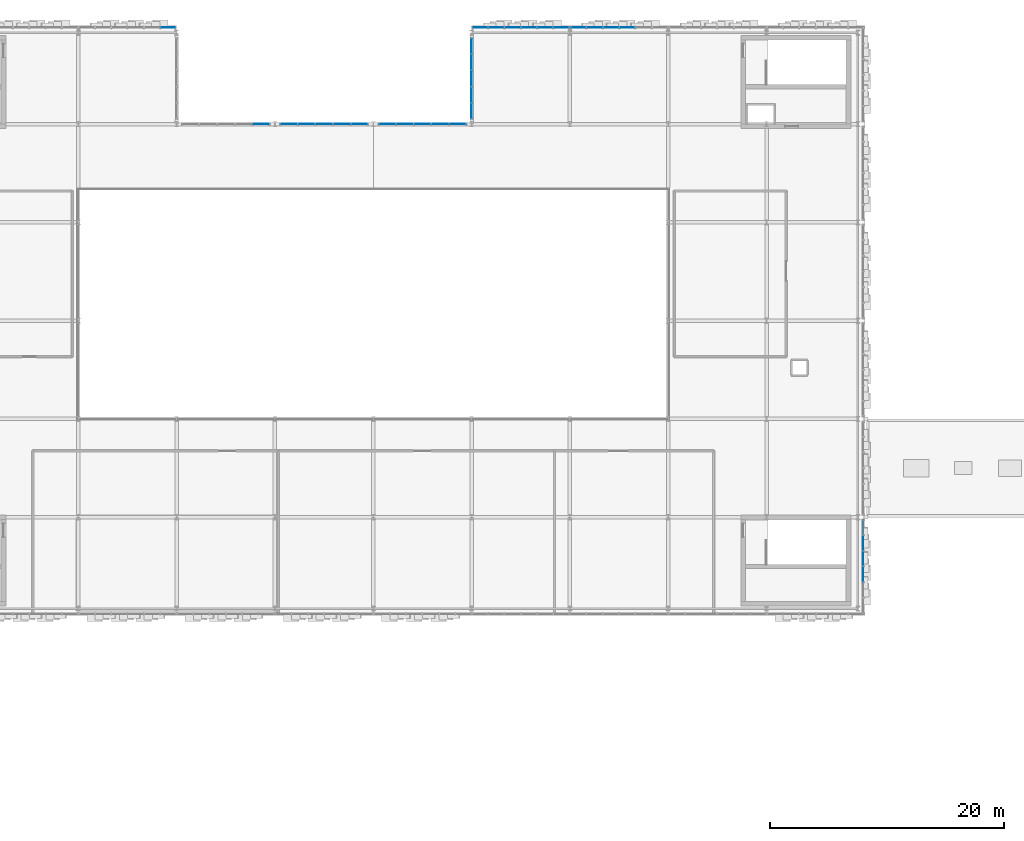
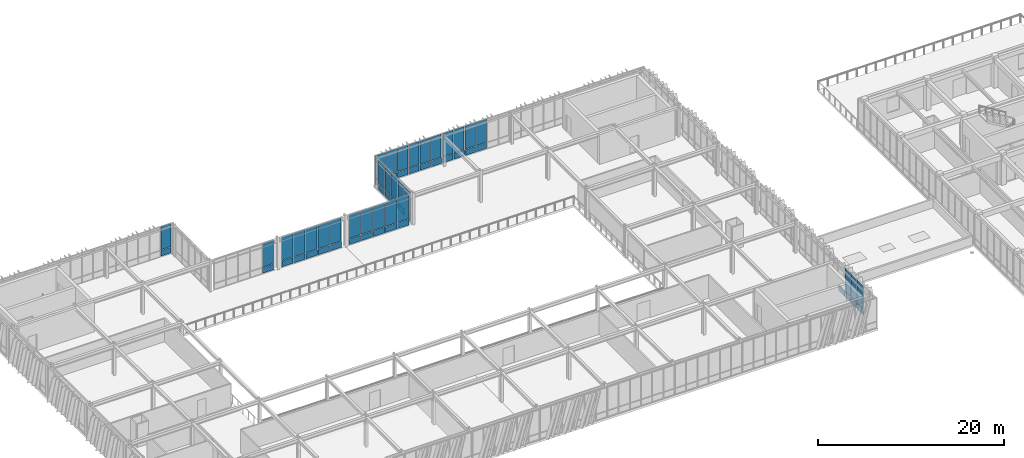
# One storey, part 91 of 123: 61 plates, 8 elements without a shape of their own.
"""IFC4 building model written with IfcOpenShell, lengths in metres."""

from ifc_helpers import new_model, si_unit, direction, frame, origin, origin_2d, place, context, subcontext, project, spatial, rectangle, extrude, material, layer, layer_set, type_object, element, aggregate, save


model = new_model("IFC4")

# Units and contexts
model_context = context("Model", 3, precision=1e-05, world=origin(), true_north=direction((0.0, 1.0)))
body_context = subcontext(model_context, "Body", "Model", "MODEL_VIEW")
ifc_project = project(units=[si_unit("LENGTHUNIT", "METRE"), si_unit("AREAUNIT", "SQUARE_METRE"), si_unit("VOLUMEUNIT", "CUBIC_METRE"), si_unit("PLANEANGLEUNIT", "RADIAN"), si_unit("MASSUNIT", "GRAM", prefix="KILO")], contexts=[model_context])

# Site, building, storey
site_placement = place(None, origin())
site = spatial("IfcSite", under=ifc_project, at=site_placement, CompositionType="ELEMENT")
building_placement = place(site_placement, origin())
building = spatial("IfcBuilding", under=site, at=building_placement, Name="Zayran Congress Hotel", CompositionType="ELEMENT")
storey_placement = place(building_placement, frame((0.0, 0.0, 15.0)))
storey = spatial("IfcBuildingStorey", under=building, at=storey_placement, Name="L03", CompositionType="ELEMENT", Elevation=15.0)

# Curtain wall, plate
ifc_material_1 = material(Name="Anodised aluminium and low-E insulated glass", Category="aluminium")
ifc_layer_1 = layer(ifc_material_1, 0.179931640625)
ifc_layer_set_1 = layer_set([ifc_layer_1], Name="Anodised aluminium and low-E insulated glass")
curtain_wall_type_1 = type_object("IfcCurtainWallType", Name="CW-V1N-L03-CW-23-8360-3980", PredefinedType="USERDEFINED", material=ifc_layer_set_1)
curtain_wall_1_placement = place(storey_placement, origin())
curtain_wall_1 = element("IfcCurtainWall", 1, at=curtain_wall_1_placement, inside=storey, type_object=curtain_wall_type_1, Name="CW-V1N-L03-2", ObjectType="CURTAIN WALL", PredefinedType="USERDEFINED")
ifc_material_2 = material(Name="Insulated warm bronze aluminium spandrel panel", Category="aluminium")
ifc_layer_2 = layer(ifc_material_2, 0.06005859375)
ifc_layer_set_2 = layer_set([ifc_layer_2], Name="Insulated warm bronze aluminium spandrel panel")
plate_type_1 = type_object("IfcPlateType", Name="CWP-SP-1273-750", PredefinedType="CURTAIN_PANEL", material=ifc_layer_set_2)
plate_1_placement = place(storey_placement, frame((32.86328125, 117.85009765625, 0.06005859375), z_axis=(0.0, 0.0, 1.0), x_axis=(1.0, 0.0, 0.0)))
plate_1 = element("IfcPlate", 2, at=plate_1_placement, type_object=plate_type_1, Name="CW-23 Spandrel Panel 1", PredefinedType="CURTAIN_PANEL", context=body_context, shape_type="SweptSolid", body=[
    extrude(rectangle(XDim=1.273193359375, YDim=0.06005859375, at=origin_2d()), origin(), (0.0, 0.0, 1.0), 0.75),
])

# Curtain wall, plates
ifc_layer_3 = layer(ifc_material_1, 0.179931640625)
ifc_layer_set_3 = layer_set([ifc_layer_3], Name="Anodised aluminium and low-E insulated glass")
curtain_wall_type_2 = type_object("IfcCurtainWallType", Name="CW-V1N-L03-CW-21-8360-3980", PredefinedType="USERDEFINED", material=ifc_layer_set_3)
curtain_wall_2_placement = place(storey_placement, origin())
curtain_wall_2 = element("IfcCurtainWall", 3, at=curtain_wall_2_placement, inside=storey, type_object=curtain_wall_type_2, Name="CW-V1N-L03-6", ObjectType="CURTAIN WALL", PredefinedType="USERDEFINED")
plate_2_placement = place(storey_placement, frame((66.46337890625, 117.85009765625, 0.06005859375), z_axis=(0.0, 0.0, 1.0), x_axis=(1.0, 0.0, 0.0)))
plate_2 = element("IfcPlate", 4, at=plate_2_placement, type_object=plate_type_1, Name="CW-21 Spandrel Panel 1", PredefinedType="CURTAIN_PANEL", context=body_context, shape_type="SweptSolid", body=[
    extrude(rectangle(XDim=1.273193359375, YDim=0.06005859375, at=origin_2d()), origin(), (0.0, 0.0, 1.0), 0.75),
])
plate_3_placement = place(storey_placement, frame((65.090087890625, 117.85009765625, 0.06005859375), z_axis=(0.0, 0.0, 1.0), x_axis=(1.0, 0.0, 0.0)))
plate_3 = element("IfcPlate", 5, at=plate_3_placement, type_object=plate_type_1, Name="CW-21 Spandrel Panel 2", PredefinedType="CURTAIN_PANEL", context=body_context, shape_type="SweptSolid", body=[
    extrude(rectangle(XDim=1.313232421875, YDim=0.06005859375, at=origin_2d()), origin(), (0.0, 0.0, 1.0), 0.75),
])
plate_4_placement = place(storey_placement, frame((63.69677734375, 117.85009765625, 0.06005859375), z_axis=(0.0, 0.0, 1.0), x_axis=(1.0, 0.0, 0.0)))
plate_4 = element("IfcPlate", 6, at=plate_4_placement, type_object=plate_type_1, Name="CW-21 Spandrel Panel 3", PredefinedType="CURTAIN_PANEL", context=body_context, shape_type="SweptSolid", body=[
    extrude(rectangle(XDim=1.313232421875, YDim=0.06005859375, at=origin_2d()), origin(), (0.0, 0.0, 1.0), 0.75),
])
plate_5_placement = place(storey_placement, frame((62.30322265625, 117.85009765625, 0.06005859375), z_axis=(0.0, 0.0, 1.0), x_axis=(1.0, 0.0, 0.0)))
plate_5 = element("IfcPlate", 7, at=plate_5_placement, type_object=plate_type_1, Name="CW-21 Spandrel Panel 4", PredefinedType="CURTAIN_PANEL", context=body_context, shape_type="SweptSolid", body=[
    extrude(rectangle(XDim=1.313232421875, YDim=0.06005859375, at=origin_2d()), origin(), (0.0, 0.0, 1.0), 0.75),
])
plate_6_placement = place(storey_placement, frame((60.909912109375, 117.85009765625, 0.06005859375), z_axis=(0.0, 0.0, 1.0), x_axis=(1.0, 0.0, 0.0)))
plate_6 = element("IfcPlate", 8, at=plate_6_placement, type_object=plate_type_1, Name="CW-21 Spandrel Panel 5", PredefinedType="CURTAIN_PANEL", context=body_context, shape_type="SweptSolid", body=[
    extrude(rectangle(XDim=1.313232421875, YDim=0.06005859375, at=origin_2d()), origin(), (0.0, 0.0, 1.0), 0.75),
])
plate_7_placement = place(storey_placement, frame((59.53662109375, 117.85009765625, 0.06005859375), z_axis=(0.0, 0.0, 1.0), x_axis=(1.0, 0.0, 0.0)))
plate_7 = element("IfcPlate", 9, at=plate_7_placement, type_object=plate_type_1, Name="CW-21 Spandrel Panel 6", PredefinedType="CURTAIN_PANEL", context=body_context, shape_type="SweptSolid", body=[
    extrude(rectangle(XDim=1.273193359375, YDim=0.06005859375, at=origin_2d()), origin(), (0.0, 0.0, 1.0), 0.75),
])

ifc_layer_4 = layer(ifc_material_1, 0.179931640625)
ifc_layer_set_4 = layer_set([ifc_layer_4], Name="Anodised aluminium and low-E insulated glass")
curtain_wall_type_3 = type_object("IfcCurtainWallType", Name="CW-V1N-L03-CW-22-8360-3980", PredefinedType="USERDEFINED", material=ifc_layer_set_4)
curtain_wall_3_placement = place(storey_placement, origin())
curtain_wall_3 = element("IfcCurtainWall", 10, at=curtain_wall_3_placement, inside=storey, type_object=curtain_wall_type_3, Name="CW-V1N-L03-7", ObjectType="CURTAIN WALL", PredefinedType="USERDEFINED")
plate_8_placement = place(storey_placement, frame((72.0966796875, 117.85009765625, 0.06005859375), z_axis=(0.0, 0.0, 1.0), x_axis=(1.0, 0.0, 0.0)))
plate_8 = element("IfcPlate", 11, at=plate_8_placement, type_object=plate_type_1, Name="CW-22 Spandrel Panel 3", PredefinedType="CURTAIN_PANEL", context=body_context, shape_type="SweptSolid", body=[
    extrude(rectangle(XDim=1.313232421875, YDim=0.06005859375, at=origin_2d()), origin(), (0.0, 0.0, 1.0), 0.75),
])
plate_9_placement = place(storey_placement, frame((70.703369140625, 117.85009765625, 0.06005859375), z_axis=(0.0, 0.0, 1.0), x_axis=(1.0, 0.0, 0.0)))
plate_9 = element("IfcPlate", 12, at=plate_9_placement, type_object=plate_type_1, Name="CW-22 Spandrel Panel 4", PredefinedType="CURTAIN_PANEL", context=body_context, shape_type="SweptSolid", body=[
    extrude(rectangle(XDim=1.313232421875, YDim=0.06005859375, at=origin_2d()), origin(), (0.0, 0.0, 1.0), 0.75),
])
plate_10_placement = place(storey_placement, frame((69.31005859375, 117.85009765625, 0.06005859375), z_axis=(0.0, 0.0, 1.0), x_axis=(1.0, 0.0, 0.0)))
plate_10 = element("IfcPlate", 13, at=plate_10_placement, type_object=plate_type_1, Name="CW-22 Spandrel Panel 5", PredefinedType="CURTAIN_PANEL", context=body_context, shape_type="SweptSolid", body=[
    extrude(rectangle(XDim=1.313232421875, YDim=0.06005859375, at=origin_2d()), origin(), (0.0, 0.0, 1.0), 0.75),
])
plate_11_placement = place(storey_placement, frame((67.936767578125, 117.85009765625, 0.06005859375), z_axis=(0.0, 0.0, 1.0), x_axis=(1.0, 0.0, 0.0)))
plate_11 = element("IfcPlate", 14, at=plate_11_placement, type_object=plate_type_1, Name="CW-22 Spandrel Panel 6", PredefinedType="CURTAIN_PANEL", context=body_context, shape_type="SweptSolid", body=[
    extrude(rectangle(XDim=1.273193359375, YDim=0.06005859375, at=origin_2d()), origin(), (0.0, 0.0, 1.0), 0.75),
])

ifc_layer_5 = layer(ifc_material_1, 0.179931640625)
ifc_layer_set_5 = layer_set([ifc_layer_5], Name="Anodised aluminium and low-E insulated glass")
curtain_wall_type_4 = type_object("IfcCurtainWallType", Name="CW-V1NE-L03-CW-25-6960-3980", PredefinedType="USERDEFINED", material=ifc_layer_set_5)
curtain_wall_4_placement = place(storey_placement, origin())
curtain_wall_4 = element("IfcCurtainWall", 15, at=curtain_wall_4_placement, inside=storey, type_object=curtain_wall_type_4, Name="CW-V1NE-L03", ObjectType="CURTAIN WALL", PredefinedType="USERDEFINED")
ifc_layer_6 = layer(ifc_material_2, 0.06005859375)
ifc_layer_set_6 = layer_set([ifc_layer_6], Name="Insulated warm bronze aluminium spandrel panel")
plate_type_2 = type_object("IfcPlateType", Name="CWP-SP-1272-750", PredefinedType="CURTAIN_PANEL", material=ifc_layer_set_6)
plate_12_placement = place(storey_placement, frame((58.800048828125, 116.263916015625, 0.06005859375), z_axis=(0.0, 0.0, 1.0), x_axis=(0.0, 1.0, 0.0)))
plate_12 = element("IfcPlate", 16, at=plate_12_placement, type_object=plate_type_2, Name="CW-25 Spandrel Panel 1", PredefinedType="CURTAIN_PANEL", context=body_context, shape_type="SweptSolid", body=[
    extrude(rectangle(XDim=1.27197265625, YDim=0.06005859375, at=origin_2d()), origin(), (0.0, 0.0, 1.0), 0.75),
])
plate_13_placement = place(storey_placement, frame((58.800048828125, 114.89208984375, 0.06005859375), z_axis=(0.0, 0.0, 1.0), x_axis=(0.0, 1.0, 0.0)))
plate_13 = element("IfcPlate", 17, at=plate_13_placement, type_object=plate_type_2, Name="CW-25 Spandrel Panel 2", PredefinedType="CURTAIN_PANEL", context=body_context, shape_type="SweptSolid", body=[
    extrude(rectangle(XDim=1.31201171875, YDim=0.06005859375, at=origin_2d()), origin(), (0.0, 0.0, 1.0), 0.75),
])
plate_14_placement = place(storey_placement, frame((58.800048828125, 113.5, 0.06005859375), z_axis=(0.0, 0.0, 1.0), x_axis=(0.0, 1.0, 0.0)))
plate_14 = element("IfcPlate", 18, at=plate_14_placement, type_object=plate_type_2, Name="CW-25 Spandrel Panel 3", PredefinedType="CURTAIN_PANEL", context=body_context, shape_type="SweptSolid", body=[
    extrude(rectangle(XDim=1.31201171875, YDim=0.06005859375, at=origin_2d()), origin(), (0.0, 0.0, 1.0), 0.75),
])
plate_15_placement = place(storey_placement, frame((58.800048828125, 112.10791015625, 0.06005859375), z_axis=(0.0, 0.0, 1.0), x_axis=(0.0, 1.0, 0.0)))
plate_15 = element("IfcPlate", 19, at=plate_15_placement, type_object=plate_type_2, Name="CW-25 Spandrel Panel 4", PredefinedType="CURTAIN_PANEL", context=body_context, shape_type="SweptSolid", body=[
    extrude(rectangle(XDim=1.31201171875, YDim=0.06005859375, at=origin_2d()), origin(), (0.0, 0.0, 1.0), 0.75),
])
plate_16_placement = place(storey_placement, frame((58.800048828125, 110.736083984375, 0.06005859375), z_axis=(0.0, 0.0, 1.0), x_axis=(0.0, 1.0, 0.0)))
plate_16 = element("IfcPlate", 20, at=plate_16_placement, type_object=plate_type_2, Name="CW-25 Spandrel Panel 5", PredefinedType="CURTAIN_PANEL", context=body_context, shape_type="SweptSolid", body=[
    extrude(rectangle(XDim=1.27197265625, YDim=0.06005859375, at=origin_2d()), origin(), (0.0, 0.0, 1.0), 0.75),
])

ifc_layer_7 = layer(ifc_material_1, 0.179931640625)
ifc_layer_set_7 = layer_set([ifc_layer_7], Name="Anodised aluminium and low-E insulated glass")
curtain_wall_type_5 = type_object("IfcCurtainWallType", Name="CW-V1E-L03-CW-41-8040-3980", PredefinedType="USERDEFINED", material=ifc_layer_set_7)
curtain_wall_5_placement = place(storey_placement, origin())
curtain_wall_5 = element("IfcCurtainWall", 21, at=curtain_wall_5_placement, inside=storey, type_object=curtain_wall_type_5, Name="CW-V1E-L03-0", ObjectType="CURTAIN WALL", PredefinedType="USERDEFINED")
ifc_layer_8 = layer(ifc_material_2, 0.06005859375)
ifc_layer_set_8 = layer_set([ifc_layer_8], Name="Insulated warm bronze aluminium spandrel panel")
plate_type_3 = type_object("IfcPlateType", Name="CWP-SP-1220-750", PredefinedType="CURTAIN_PANEL", material=ifc_layer_set_8)
plate_17_placement = place(storey_placement, frame((92.25, 71.1298828125, 0.06005859375), z_axis=(0.0, 0.0, 1.0), x_axis=(0.0, 1.0, 0.0)))
plate_17 = element("IfcPlate", 22, at=plate_17_placement, type_object=plate_type_3, Name="CW-41 Spandrel Panel 3", PredefinedType="CURTAIN_PANEL", context=body_context, shape_type="SweptSolid", body=[
    extrude(rectangle(XDim=1.260009765625, YDim=0.06005859375, at=origin_2d()), origin(), (0.0, 0.0, 1.0), 0.75),
])
plate_18_placement = place(storey_placement, frame((92.25, 72.469970703125, 0.06005859375), z_axis=(0.0, 0.0, 1.0), x_axis=(0.0, 1.0, 0.0)))
plate_18 = element("IfcPlate", 23, at=plate_18_placement, type_object=plate_type_3, Name="CW-41 Spandrel Panel 4", PredefinedType="CURTAIN_PANEL", context=body_context, shape_type="SweptSolid", body=[
    extrude(rectangle(XDim=1.260009765625, YDim=0.06005859375, at=origin_2d()), origin(), (0.0, 0.0, 1.0), 0.75),
])
plate_19_placement = place(storey_placement, frame((92.25, 73.81005859375, 0.06005859375), z_axis=(0.0, 0.0, 1.0), x_axis=(0.0, 1.0, 0.0)))
plate_19 = element("IfcPlate", 24, at=plate_19_placement, type_object=plate_type_3, Name="CW-41 Spandrel Panel 5", PredefinedType="CURTAIN_PANEL", context=body_context, shape_type="SweptSolid", body=[
    extrude(rectangle(XDim=1.260009765625, YDim=0.06005859375, at=origin_2d()), origin(), (0.0, 0.0, 1.0), 0.75),
])
plate_20_placement = place(storey_placement, frame((92.25, 75.1298828125, 0.06005859375), z_axis=(0.0, 0.0, 1.0), x_axis=(0.0, 1.0, 0.0)))
plate_20 = element("IfcPlate", 25, at=plate_20_placement, type_object=plate_type_3, Name="CW-41 Spandrel Panel 6", PredefinedType="CURTAIN_PANEL", context=body_context, shape_type="SweptSolid", body=[
    extrude(rectangle(XDim=1.219970703125, YDim=0.06005859375, at=origin_2d()), origin(), (0.0, 0.0, 1.0), 0.75),
])

# Curtain wall, plate
ifc_layer_9 = layer(ifc_material_1, 0.179931640625)
ifc_layer_set_9 = layer_set([ifc_layer_9], Name="Anodised aluminium and low-E insulated glass")
curtain_wall_type_6 = type_object("IfcCurtainWallType", Name="CW-V1NF-L03-CW-21-7560-3980", PredefinedType="USERDEFINED", material=ifc_layer_set_9)
curtain_wall_6_placement = place(storey_placement, origin())
curtain_wall_6 = element("IfcCurtainWall", 26, at=curtain_wall_6_placement, inside=storey, type_object=curtain_wall_type_6, Name="CW-V1NF-L03-3", ObjectType="CURTAIN WALL", PredefinedType="USERDEFINED")
ifc_layer_10 = layer(ifc_material_2, 0.06005859375)
ifc_layer_set_10 = layer_set([ifc_layer_10], Name="Insulated warm bronze aluminium spandrel panel")
plate_type_4 = type_object("IfcPlateType", Name="CWP-SP-1392-750", PredefinedType="CURTAIN_PANEL", material=ifc_layer_set_10)
plate_21_placement = place(storey_placement, frame((40.803955078125, 109.60009765625, 0.06005859375), z_axis=(0.0, 0.0, 1.0), x_axis=(1.0, 0.0, 0.0)))
plate_21 = element("IfcPlate", 27, at=plate_21_placement, type_object=plate_type_4, Name="CW-21 Spandrel Panel 1", PredefinedType="CURTAIN_PANEL", context=body_context, shape_type="SweptSolid", body=[
    extrude(rectangle(XDim=1.39208984375, YDim=0.06005859375, at=origin_2d()), origin(), (0.0, 0.0, 1.0), 0.75),
])

# Curtain wall, plates
ifc_layer_11 = layer(ifc_material_1, 0.179931640625)
ifc_layer_set_11 = layer_set([ifc_layer_11], Name="Anodised aluminium and low-E insulated glass")
curtain_wall_type_7 = type_object("IfcCurtainWallType", Name="CW-V1NF-L03-CW-22-7560-3980", PredefinedType="USERDEFINED", material=ifc_layer_set_11)
curtain_wall_7_placement = place(storey_placement, origin())
curtain_wall_7 = element("IfcCurtainWall", 28, at=curtain_wall_7_placement, inside=storey, type_object=curtain_wall_type_7, Name="CW-V1NF-L03-4", ObjectType="CURTAIN WALL", PredefinedType="USERDEFINED")
plate_22_placement = place(storey_placement, frame((49.2041015625, 109.60009765625, 0.06005859375), z_axis=(0.0, 0.0, 1.0), x_axis=(1.0, 0.0, 0.0)))
plate_22 = element("IfcPlate", 29, at=plate_22_placement, type_object=plate_type_4, Name="CW-22 Spandrel Panel 1", PredefinedType="CURTAIN_PANEL", context=body_context, shape_type="SweptSolid", body=[
    extrude(rectangle(XDim=1.39208984375, YDim=0.06005859375, at=origin_2d()), origin(), (0.0, 0.0, 1.0), 0.75),
])
plate_23_placement = place(storey_placement, frame((47.7119140625, 109.60009765625, 0.06005859375), z_axis=(0.0, 0.0, 1.0), x_axis=(1.0, 0.0, 0.0)))
plate_23 = element("IfcPlate", 30, at=plate_23_placement, type_object=plate_type_4, Name="CW-22 Spandrel Panel 2", PredefinedType="CURTAIN_PANEL", context=body_context, shape_type="SweptSolid", body=[
    extrude(rectangle(XDim=1.431884765625, YDim=0.06005859375, at=origin_2d()), origin(), (0.0, 0.0, 1.0), 0.75),
])
plate_24_placement = place(storey_placement, frame((46.199951171875, 109.60009765625, 0.06005859375), z_axis=(0.0, 0.0, 1.0), x_axis=(1.0, 0.0, 0.0)))
plate_24 = element("IfcPlate", 31, at=plate_24_placement, type_object=plate_type_4, Name="CW-22 Spandrel Panel 3", PredefinedType="CURTAIN_PANEL", context=body_context, shape_type="SweptSolid", body=[
    extrude(rectangle(XDim=1.431884765625, YDim=0.06005859375, at=origin_2d()), origin(), (0.0, 0.0, 1.0), 0.75),
])
plate_25_placement = place(storey_placement, frame((44.68798828125, 109.60009765625, 0.06005859375), z_axis=(0.0, 0.0, 1.0), x_axis=(1.0, 0.0, 0.0)))
plate_25 = element("IfcPlate", 32, at=plate_25_placement, type_object=plate_type_4, Name="CW-22 Spandrel Panel 4", PredefinedType="CURTAIN_PANEL", context=body_context, shape_type="SweptSolid", body=[
    extrude(rectangle(XDim=1.431884765625, YDim=0.06005859375, at=origin_2d()), origin(), (0.0, 0.0, 1.0), 0.75),
])
plate_26_placement = place(storey_placement, frame((43.196044921875, 109.60009765625, 0.06005859375), z_axis=(0.0, 0.0, 1.0), x_axis=(1.0, 0.0, 0.0)))
plate_26 = element("IfcPlate", 33, at=plate_26_placement, type_object=plate_type_4, Name="CW-22 Spandrel Panel 5", PredefinedType="CURTAIN_PANEL", context=body_context, shape_type="SweptSolid", body=[
    extrude(rectangle(XDim=1.39208984375, YDim=0.06005859375, at=origin_2d()), origin(), (0.0, 0.0, 1.0), 0.75),
])

ifc_layer_12 = layer(ifc_material_1, 0.179931640625)
ifc_layer_set_12 = layer_set([ifc_layer_12], Name="Anodised aluminium and low-E insulated glass")
curtain_wall_type_8 = type_object("IfcCurtainWallType", Name="CW-V1NF-L03-CW-23-7560-3980", PredefinedType="USERDEFINED", material=ifc_layer_set_12)
curtain_wall_8_placement = place(storey_placement, origin())
curtain_wall_8 = element("IfcCurtainWall", 34, at=curtain_wall_8_placement, inside=storey, type_object=curtain_wall_type_8, Name="CW-V1NF-L03-5", ObjectType="CURTAIN WALL", PredefinedType="USERDEFINED")
plate_27_placement = place(storey_placement, frame((57.60400390625, 109.60009765625, 0.06005859375), z_axis=(0.0, 0.0, 1.0), x_axis=(1.0, 0.0, 0.0)))
plate_27 = element("IfcPlate", 35, at=plate_27_placement, type_object=plate_type_4, Name="CW-23 Spandrel Panel 1", PredefinedType="CURTAIN_PANEL", context=body_context, shape_type="SweptSolid", body=[
    extrude(rectangle(XDim=1.39208984375, YDim=0.06005859375, at=origin_2d()), origin(), (0.0, 0.0, 1.0), 0.75),
])
plate_28_placement = place(storey_placement, frame((56.112060546875, 109.60009765625, 0.06005859375), z_axis=(0.0, 0.0, 1.0), x_axis=(1.0, 0.0, 0.0)))
plate_28 = element("IfcPlate", 36, at=plate_28_placement, type_object=plate_type_4, Name="CW-23 Spandrel Panel 2", PredefinedType="CURTAIN_PANEL", context=body_context, shape_type="SweptSolid", body=[
    extrude(rectangle(XDim=1.431884765625, YDim=0.06005859375, at=origin_2d()), origin(), (0.0, 0.0, 1.0), 0.75),
])
plate_29_placement = place(storey_placement, frame((54.60009765625, 109.60009765625, 0.06005859375), z_axis=(0.0, 0.0, 1.0), x_axis=(1.0, 0.0, 0.0)))
plate_29 = element("IfcPlate", 37, at=plate_29_placement, type_object=plate_type_4, Name="CW-23 Spandrel Panel 3", PredefinedType="CURTAIN_PANEL", context=body_context, shape_type="SweptSolid", body=[
    extrude(rectangle(XDim=1.431884765625, YDim=0.06005859375, at=origin_2d()), origin(), (0.0, 0.0, 1.0), 0.75),
])
plate_30_placement = place(storey_placement, frame((53.087890625, 109.60009765625, 0.06005859375), z_axis=(0.0, 0.0, 1.0), x_axis=(1.0, 0.0, 0.0)))
plate_30 = element("IfcPlate", 38, at=plate_30_placement, type_object=plate_type_4, Name="CW-23 Spandrel Panel 4", PredefinedType="CURTAIN_PANEL", context=body_context, shape_type="SweptSolid", body=[
    extrude(rectangle(XDim=1.431884765625, YDim=0.06005859375, at=origin_2d()), origin(), (0.0, 0.0, 1.0), 0.75),
])
plate_31_placement = place(storey_placement, frame((51.595947265625, 109.60009765625, 0.06005859375), z_axis=(0.0, 0.0, 1.0), x_axis=(1.0, 0.0, 0.0)))
plate_31 = element("IfcPlate", 39, at=plate_31_placement, type_object=plate_type_4, Name="CW-23 Spandrel Panel 5", PredefinedType="CURTAIN_PANEL", context=body_context, shape_type="SweptSolid", body=[
    extrude(rectangle(XDim=1.39208984375, YDim=0.06005859375, at=origin_2d()), origin(), (0.0, 0.0, 1.0), 0.75),
])

# Plate
ifc_layer_13 = layer(ifc_material_1, 0.028076171875)
ifc_layer_set_13 = layer_set([ifc_layer_13], Name="Anodised aluminium and low-E insulated glass")
plate_type_5 = type_object("IfcPlateType", Name="CWP-GL-1273-3050", PredefinedType="CURTAIN_PANEL", material=ifc_layer_set_13)
plate_32_placement = place(storey_placement, frame((32.86328125, 117.85009765625, 0.8701171875), z_axis=(0.0, 0.0, 1.0), x_axis=(1.0, 0.0, 0.0)))
plate_32 = element("IfcPlate", 40, at=plate_32_placement, type_object=plate_type_5, Name="CW-23 Glazed Panel 1", PredefinedType="CURTAIN_PANEL", context=body_context, shape_type="SweptSolid", body=[
    extrude(rectangle(XDim=1.273193359375, YDim=0.028076171875, at=origin_2d()), origin(), (0.0, 0.0, 1.0), 3.050048828125),
])

aggregate(curtain_wall_1, [plate_1, plate_32])

plate_33_placement = place(storey_placement, frame((66.46337890625, 117.85009765625, 0.8701171875), z_axis=(0.0, 0.0, 1.0), x_axis=(1.0, 0.0, 0.0)))
plate_33 = element("IfcPlate", 41, at=plate_33_placement, type_object=plate_type_5, Name="CW-21 Glazed Panel 1", PredefinedType="CURTAIN_PANEL", context=body_context, shape_type="SweptSolid", body=[
    extrude(rectangle(XDim=1.273193359375, YDim=0.028076171875, at=origin_2d()), origin(), (0.0, 0.0, 1.0), 3.050048828125),
])

plate_34_placement = place(storey_placement, frame((65.090087890625, 117.85009765625, 0.8701171875), z_axis=(0.0, 0.0, 1.0), x_axis=(1.0, 0.0, 0.0)))
plate_34 = element("IfcPlate", 42, at=plate_34_placement, type_object=plate_type_5, Name="CW-21 Glazed Panel 2", PredefinedType="CURTAIN_PANEL", context=body_context, shape_type="SweptSolid", body=[
    extrude(rectangle(XDim=1.313232421875, YDim=0.028076171875, at=origin_2d()), origin(), (0.0, 0.0, 1.0), 3.050048828125),
])

plate_35_placement = place(storey_placement, frame((63.69677734375, 117.85009765625, 0.8701171875), z_axis=(0.0, 0.0, 1.0), x_axis=(1.0, 0.0, 0.0)))
plate_35 = element("IfcPlate", 43, at=plate_35_placement, type_object=plate_type_5, Name="CW-21 Glazed Panel 3", PredefinedType="CURTAIN_PANEL", context=body_context, shape_type="SweptSolid", body=[
    extrude(rectangle(XDim=1.313232421875, YDim=0.028076171875, at=origin_2d()), origin(), (0.0, 0.0, 1.0), 3.050048828125),
])

plate_36_placement = place(storey_placement, frame((62.30322265625, 117.85009765625, 0.8701171875), z_axis=(0.0, 0.0, 1.0), x_axis=(1.0, 0.0, 0.0)))
plate_36 = element("IfcPlate", 44, at=plate_36_placement, type_object=plate_type_5, Name="CW-21 Glazed Panel 4", PredefinedType="CURTAIN_PANEL", context=body_context, shape_type="SweptSolid", body=[
    extrude(rectangle(XDim=1.313232421875, YDim=0.028076171875, at=origin_2d()), origin(), (0.0, 0.0, 1.0), 3.050048828125),
])

plate_37_placement = place(storey_placement, frame((60.909912109375, 117.85009765625, 0.8701171875), z_axis=(0.0, 0.0, 1.0), x_axis=(1.0, 0.0, 0.0)))
plate_37 = element("IfcPlate", 45, at=plate_37_placement, type_object=plate_type_5, Name="CW-21 Glazed Panel 5", PredefinedType="CURTAIN_PANEL", context=body_context, shape_type="SweptSolid", body=[
    extrude(rectangle(XDim=1.313232421875, YDim=0.028076171875, at=origin_2d()), origin(), (0.0, 0.0, 1.0), 3.050048828125),
])

plate_38_placement = place(storey_placement, frame((59.53662109375, 117.85009765625, 0.8701171875), z_axis=(0.0, 0.0, 1.0), x_axis=(1.0, 0.0, 0.0)))
plate_38 = element("IfcPlate", 46, at=plate_38_placement, type_object=plate_type_5, Name="CW-21 Glazed Panel 6", PredefinedType="CURTAIN_PANEL", context=body_context, shape_type="SweptSolid", body=[
    extrude(rectangle(XDim=1.273193359375, YDim=0.028076171875, at=origin_2d()), origin(), (0.0, 0.0, 1.0), 3.050048828125),
])

aggregate(curtain_wall_2, [plate_2, plate_33, plate_3, plate_34, plate_4, plate_35, plate_5, plate_36, plate_6, plate_37, plate_7, plate_38])

plate_39_placement = place(storey_placement, frame((72.0966796875, 117.85009765625, 0.8701171875), z_axis=(0.0, 0.0, 1.0), x_axis=(1.0, 0.0, 0.0)))
plate_39 = element("IfcPlate", 47, at=plate_39_placement, type_object=plate_type_5, Name="CW-22 Glazed Panel 3", PredefinedType="CURTAIN_PANEL", context=body_context, shape_type="SweptSolid", body=[
    extrude(rectangle(XDim=1.313232421875, YDim=0.028076171875, at=origin_2d()), origin(), (0.0, 0.0, 1.0), 3.050048828125),
])

plate_40_placement = place(storey_placement, frame((70.703369140625, 117.85009765625, 0.8701171875), z_axis=(0.0, 0.0, 1.0), x_axis=(1.0, 0.0, 0.0)))
plate_40 = element("IfcPlate", 48, at=plate_40_placement, type_object=plate_type_5, Name="CW-22 Glazed Panel 4", PredefinedType="CURTAIN_PANEL", context=body_context, shape_type="SweptSolid", body=[
    extrude(rectangle(XDim=1.313232421875, YDim=0.028076171875, at=origin_2d()), origin(), (0.0, 0.0, 1.0), 3.050048828125),
])

plate_41_placement = place(storey_placement, frame((69.31005859375, 117.85009765625, 0.8701171875), z_axis=(0.0, 0.0, 1.0), x_axis=(1.0, 0.0, 0.0)))
plate_41 = element("IfcPlate", 49, at=plate_41_placement, type_object=plate_type_5, Name="CW-22 Glazed Panel 5", PredefinedType="CURTAIN_PANEL", context=body_context, shape_type="SweptSolid", body=[
    extrude(rectangle(XDim=1.313232421875, YDim=0.028076171875, at=origin_2d()), origin(), (0.0, 0.0, 1.0), 3.050048828125),
])

plate_42_placement = place(storey_placement, frame((67.936767578125, 117.85009765625, 0.8701171875), z_axis=(0.0, 0.0, 1.0), x_axis=(1.0, 0.0, 0.0)))
plate_42 = element("IfcPlate", 50, at=plate_42_placement, type_object=plate_type_5, Name="CW-22 Glazed Panel 6", PredefinedType="CURTAIN_PANEL", context=body_context, shape_type="SweptSolid", body=[
    extrude(rectangle(XDim=1.273193359375, YDim=0.028076171875, at=origin_2d()), origin(), (0.0, 0.0, 1.0), 3.050048828125),
])

aggregate(curtain_wall_3, [plate_8, plate_39, plate_9, plate_40, plate_10, plate_41, plate_11, plate_42])

ifc_layer_14 = layer(ifc_material_1, 0.028076171875)
ifc_layer_set_14 = layer_set([ifc_layer_14], Name="Anodised aluminium and low-E insulated glass")
plate_type_6 = type_object("IfcPlateType", Name="CWP-GL-1392-3050", PredefinedType="CURTAIN_PANEL", material=ifc_layer_set_14)
plate_43_placement = place(storey_placement, frame((40.803955078125, 109.60009765625, 0.8701171875), z_axis=(0.0, 0.0, 1.0), x_axis=(1.0, 0.0, 0.0)))
plate_43 = element("IfcPlate", 51, at=plate_43_placement, type_object=plate_type_6, Name="CW-21 Glazed Panel 1", PredefinedType="CURTAIN_PANEL", context=body_context, shape_type="SweptSolid", body=[
    extrude(rectangle(XDim=1.39208984375, YDim=0.028076171875, at=origin_2d()), origin(), (0.0, 0.0, 1.0), 3.050048828125),
])

aggregate(curtain_wall_6, [plate_21, plate_43])

plate_44_placement = place(storey_placement, frame((49.2041015625, 109.60009765625, 0.8701171875), z_axis=(0.0, 0.0, 1.0), x_axis=(1.0, 0.0, 0.0)))
plate_44 = element("IfcPlate", 52, at=plate_44_placement, type_object=plate_type_6, Name="CW-22 Glazed Panel 1", PredefinedType="CURTAIN_PANEL", context=body_context, shape_type="SweptSolid", body=[
    extrude(rectangle(XDim=1.39208984375, YDim=0.028076171875, at=origin_2d()), origin(), (0.0, 0.0, 1.0), 3.050048828125),
])

plate_45_placement = place(storey_placement, frame((47.7119140625, 109.60009765625, 0.8701171875), z_axis=(0.0, 0.0, 1.0), x_axis=(1.0, 0.0, 0.0)))
plate_45 = element("IfcPlate", 53, at=plate_45_placement, type_object=plate_type_6, Name="CW-22 Glazed Panel 2", PredefinedType="CURTAIN_PANEL", context=body_context, shape_type="SweptSolid", body=[
    extrude(rectangle(XDim=1.431884765625, YDim=0.028076171875, at=origin_2d()), origin(), (0.0, 0.0, 1.0), 3.050048828125),
])

plate_46_placement = place(storey_placement, frame((46.199951171875, 109.60009765625, 0.8701171875), z_axis=(0.0, 0.0, 1.0), x_axis=(1.0, 0.0, 0.0)))
plate_46 = element("IfcPlate", 54, at=plate_46_placement, type_object=plate_type_6, Name="CW-22 Glazed Panel 3", PredefinedType="CURTAIN_PANEL", context=body_context, shape_type="SweptSolid", body=[
    extrude(rectangle(XDim=1.431884765625, YDim=0.028076171875, at=origin_2d()), origin(), (0.0, 0.0, 1.0), 3.050048828125),
])

plate_47_placement = place(storey_placement, frame((44.68798828125, 109.60009765625, 0.8701171875), z_axis=(0.0, 0.0, 1.0), x_axis=(1.0, 0.0, 0.0)))
plate_47 = element("IfcPlate", 55, at=plate_47_placement, type_object=plate_type_6, Name="CW-22 Glazed Panel 4", PredefinedType="CURTAIN_PANEL", context=body_context, shape_type="SweptSolid", body=[
    extrude(rectangle(XDim=1.431884765625, YDim=0.028076171875, at=origin_2d()), origin(), (0.0, 0.0, 1.0), 3.050048828125),
])

plate_48_placement = place(storey_placement, frame((43.196044921875, 109.60009765625, 0.8701171875), z_axis=(0.0, 0.0, 1.0), x_axis=(1.0, 0.0, 0.0)))
plate_48 = element("IfcPlate", 56, at=plate_48_placement, type_object=plate_type_6, Name="CW-22 Glazed Panel 5", PredefinedType="CURTAIN_PANEL", context=body_context, shape_type="SweptSolid", body=[
    extrude(rectangle(XDim=1.39208984375, YDim=0.028076171875, at=origin_2d()), origin(), (0.0, 0.0, 1.0), 3.050048828125),
])

aggregate(curtain_wall_7, [plate_22, plate_44, plate_23, plate_45, plate_24, plate_46, plate_25, plate_47, plate_26, plate_48])

plate_49_placement = place(storey_placement, frame((57.60400390625, 109.60009765625, 0.8701171875), z_axis=(0.0, 0.0, 1.0), x_axis=(1.0, 0.0, 0.0)))
plate_49 = element("IfcPlate", 57, at=plate_49_placement, type_object=plate_type_6, Name="CW-23 Glazed Panel 1", PredefinedType="CURTAIN_PANEL", context=body_context, shape_type="SweptSolid", body=[
    extrude(rectangle(XDim=1.39208984375, YDim=0.028076171875, at=origin_2d()), origin(), (0.0, 0.0, 1.0), 3.050048828125),
])

plate_50_placement = place(storey_placement, frame((56.112060546875, 109.60009765625, 0.8701171875), z_axis=(0.0, 0.0, 1.0), x_axis=(1.0, 0.0, 0.0)))
plate_50 = element("IfcPlate", 58, at=plate_50_placement, type_object=plate_type_6, Name="CW-23 Glazed Panel 2", PredefinedType="CURTAIN_PANEL", context=body_context, shape_type="SweptSolid", body=[
    extrude(rectangle(XDim=1.431884765625, YDim=0.028076171875, at=origin_2d()), origin(), (0.0, 0.0, 1.0), 3.050048828125),
])

plate_51_placement = place(storey_placement, frame((54.60009765625, 109.60009765625, 0.8701171875), z_axis=(0.0, 0.0, 1.0), x_axis=(1.0, 0.0, 0.0)))
plate_51 = element("IfcPlate", 59, at=plate_51_placement, type_object=plate_type_6, Name="CW-23 Glazed Panel 3", PredefinedType="CURTAIN_PANEL", context=body_context, shape_type="SweptSolid", body=[
    extrude(rectangle(XDim=1.431884765625, YDim=0.028076171875, at=origin_2d()), origin(), (0.0, 0.0, 1.0), 3.050048828125),
])

plate_52_placement = place(storey_placement, frame((53.087890625, 109.60009765625, 0.8701171875), z_axis=(0.0, 0.0, 1.0), x_axis=(1.0, 0.0, 0.0)))
plate_52 = element("IfcPlate", 60, at=plate_52_placement, type_object=plate_type_6, Name="CW-23 Glazed Panel 4", PredefinedType="CURTAIN_PANEL", context=body_context, shape_type="SweptSolid", body=[
    extrude(rectangle(XDim=1.431884765625, YDim=0.028076171875, at=origin_2d()), origin(), (0.0, 0.0, 1.0), 3.050048828125),
])

plate_53_placement = place(storey_placement, frame((51.595947265625, 109.60009765625, 0.8701171875), z_axis=(0.0, 0.0, 1.0), x_axis=(1.0, 0.0, 0.0)))
plate_53 = element("IfcPlate", 61, at=plate_53_placement, type_object=plate_type_6, Name="CW-23 Glazed Panel 5", PredefinedType="CURTAIN_PANEL", context=body_context, shape_type="SweptSolid", body=[
    extrude(rectangle(XDim=1.39208984375, YDim=0.028076171875, at=origin_2d()), origin(), (0.0, 0.0, 1.0), 3.050048828125),
])

aggregate(curtain_wall_8, [plate_27, plate_49, plate_28, plate_50, plate_29, plate_51, plate_30, plate_52, plate_31, plate_53])

ifc_layer_15 = layer(ifc_material_1, 0.028076171875)
ifc_layer_set_15 = layer_set([ifc_layer_15], Name="Anodised aluminium and low-E insulated glass")
plate_type_7 = type_object("IfcPlateType", Name="CWP-GL-1272-3050", PredefinedType="CURTAIN_PANEL", material=ifc_layer_set_15)
plate_54_placement = place(storey_placement, frame((58.800048828125, 116.263916015625, 0.8701171875), z_axis=(0.0, 0.0, 1.0), x_axis=(0.0, 1.0, 0.0)))
plate_54 = element("IfcPlate", 62, at=plate_54_placement, type_object=plate_type_7, Name="CW-25 Glazed Panel 1", PredefinedType="CURTAIN_PANEL", context=body_context, shape_type="SweptSolid", body=[
    extrude(rectangle(XDim=1.27197265625, YDim=0.028076171875, at=origin_2d()), origin(), (0.0, 0.0, 1.0), 3.050048828125),
])

plate_55_placement = place(storey_placement, frame((58.800048828125, 114.89208984375, 0.8701171875), z_axis=(0.0, 0.0, 1.0), x_axis=(0.0, 1.0, 0.0)))
plate_55 = element("IfcPlate", 63, at=plate_55_placement, type_object=plate_type_7, Name="CW-25 Glazed Panel 2", PredefinedType="CURTAIN_PANEL", context=body_context, shape_type="SweptSolid", body=[
    extrude(rectangle(XDim=1.31201171875, YDim=0.028076171875, at=origin_2d()), origin(), (0.0, 0.0, 1.0), 3.050048828125),
])

plate_56_placement = place(storey_placement, frame((58.800048828125, 113.5, 0.8701171875), z_axis=(0.0, 0.0, 1.0), x_axis=(0.0, 1.0, 0.0)))
plate_56 = element("IfcPlate", 64, at=plate_56_placement, type_object=plate_type_7, Name="CW-25 Glazed Panel 3", PredefinedType="CURTAIN_PANEL", context=body_context, shape_type="SweptSolid", body=[
    extrude(rectangle(XDim=1.31201171875, YDim=0.028076171875, at=origin_2d()), origin(), (0.0, 0.0, 1.0), 3.050048828125),
])

plate_57_placement = place(storey_placement, frame((58.800048828125, 112.10791015625, 0.8701171875), z_axis=(0.0, 0.0, 1.0), x_axis=(0.0, 1.0, 0.0)))
plate_57 = element("IfcPlate", 65, at=plate_57_placement, type_object=plate_type_7, Name="CW-25 Glazed Panel 4", PredefinedType="CURTAIN_PANEL", context=body_context, shape_type="SweptSolid", body=[
    extrude(rectangle(XDim=1.31201171875, YDim=0.028076171875, at=origin_2d()), origin(), (0.0, 0.0, 1.0), 3.050048828125),
])

plate_58_placement = place(storey_placement, frame((58.800048828125, 110.736083984375, 0.8701171875), z_axis=(0.0, 0.0, 1.0), x_axis=(0.0, 1.0, 0.0)))
plate_58 = element("IfcPlate", 66, at=plate_58_placement, type_object=plate_type_7, Name="CW-25 Glazed Panel 5", PredefinedType="CURTAIN_PANEL", context=body_context, shape_type="SweptSolid", body=[
    extrude(rectangle(XDim=1.27197265625, YDim=0.028076171875, at=origin_2d()), origin(), (0.0, 0.0, 1.0), 3.050048828125),
])

aggregate(curtain_wall_4, [plate_12, plate_54, plate_13, plate_55, plate_14, plate_56, plate_15, plate_57, plate_16, plate_58])

ifc_layer_16 = layer(ifc_material_1, 0.028076171875)
ifc_layer_set_16 = layer_set([ifc_layer_16], Name="Anodised aluminium and low-E insulated glass")
plate_type_8 = type_object("IfcPlateType", Name="CWP-GL-1220-3050", PredefinedType="CURTAIN_PANEL", material=ifc_layer_set_16)
plate_59_placement = place(storey_placement, frame((92.25, 71.1298828125, 0.8701171875), z_axis=(0.0, 0.0, 1.0), x_axis=(0.0, 1.0, 0.0)))
plate_59 = element("IfcPlate", 67, at=plate_59_placement, type_object=plate_type_8, Name="CW-41 Glazed Panel 3", PredefinedType="CURTAIN_PANEL", context=body_context, shape_type="SweptSolid", body=[
    extrude(rectangle(XDim=1.260009765625, YDim=0.028076171875, at=origin_2d()), origin(), (0.0, 0.0, 1.0), 3.050048828125),
])

plate_60_placement = place(storey_placement, frame((92.25, 72.469970703125, 0.8701171875), z_axis=(0.0, 0.0, 1.0), x_axis=(0.0, 1.0, 0.0)))
plate_60 = element("IfcPlate", 68, at=plate_60_placement, type_object=plate_type_8, Name="CW-41 Glazed Panel 4", PredefinedType="CURTAIN_PANEL", context=body_context, shape_type="SweptSolid", body=[
    extrude(rectangle(XDim=1.260009765625, YDim=0.028076171875, at=origin_2d()), origin(), (0.0, 0.0, 1.0), 3.050048828125),
])

plate_61_placement = place(storey_placement, frame((92.25, 73.81005859375, 0.8701171875), z_axis=(0.0, 0.0, 1.0), x_axis=(0.0, 1.0, 0.0)))
plate_61 = element("IfcPlate", 69, at=plate_61_placement, type_object=plate_type_8, Name="CW-41 Glazed Panel 5", PredefinedType="CURTAIN_PANEL", context=body_context, shape_type="SweptSolid", body=[
    extrude(rectangle(XDim=1.260009765625, YDim=0.028076171875, at=origin_2d()), origin(), (0.0, 0.0, 1.0), 3.050048828125),
])

aggregate(curtain_wall_5, [plate_17, plate_59, plate_18, plate_60, plate_19, plate_61, plate_20])

save(model, "model.ifc")
